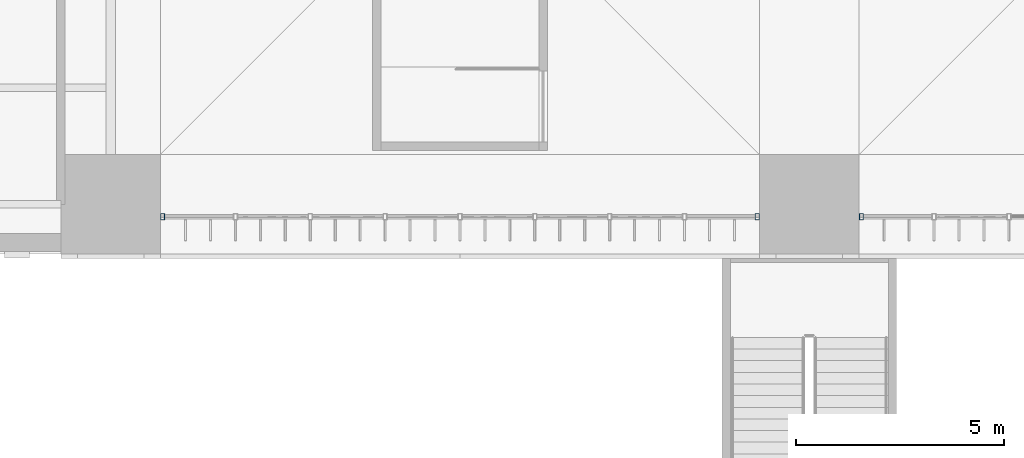
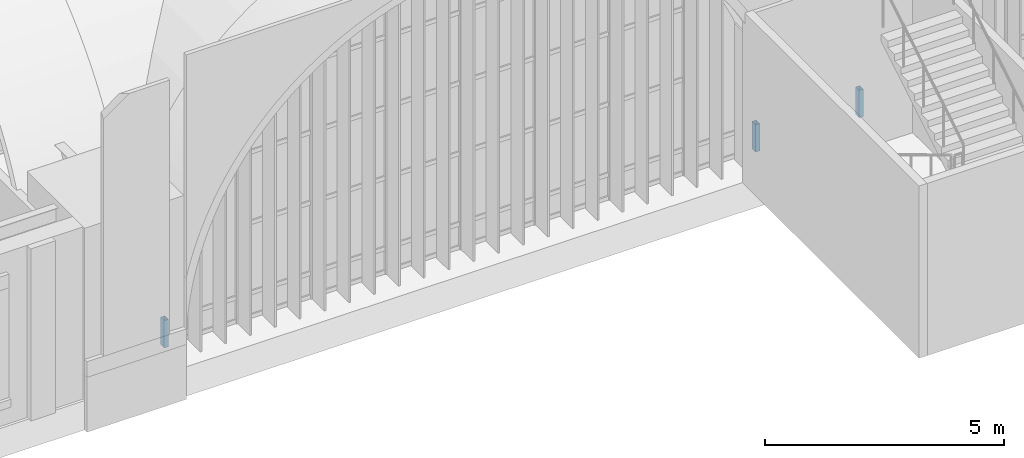
# One storey, part 60 of 169: 3 members, 2 elements without a shape of their own.
"""IFC4 building model written with IfcOpenShell, lengths in metres."""

from ifc_helpers import new_model, si_unit, direction, frame, origin, origin_2d, place, context, subcontext, project, spatial, hollow_rectangle, extrude, material, layer, layer_set, material_profile, profile_set, type_object, element, aggregate, save


model = new_model("IFC4")

# Units and contexts
model_context = context("Model", 3, precision=1e-05, world=origin(), true_north=direction((0.0, 1.0)))
body_context = subcontext(model_context, "Body", "Model", "MODEL_VIEW")
ifc_project = project(units=[si_unit("LENGTHUNIT", "METRE"), si_unit("AREAUNIT", "SQUARE_METRE"), si_unit("VOLUMEUNIT", "CUBIC_METRE"), si_unit("PLANEANGLEUNIT", "RADIAN"), si_unit("MASSUNIT", "GRAM", prefix="KILO")], contexts=[model_context])

# Site, building, storey
site_placement = place(None, origin())
site = spatial("IfcSite", under=ifc_project, at=site_placement, CompositionType="ELEMENT")
building_placement = place(site_placement, origin())
building = spatial("IfcBuilding", under=site, at=building_placement, Name="Verrick Yard Athletic Hall", CompositionType="ELEMENT")
storey_placement = place(building_placement, frame((0.0, 0.0, 4.39990234375)))
storey = spatial("IfcBuildingStorey", under=building, at=storey_placement, Name="L01", CompositionType="ELEMENT", Elevation=4.39990234375)

# Curtain wall, members
ifc_material_1 = material(Name="Aluminium and glass curtain wall", Category="aluminium")
ifc_layer = layer(ifc_material_1, 0.14990234375)
ifc_layer_set = layer_set([ifc_layer], Name="Arcade glazing arch")
curtain_wall_type = type_object("IfcCurtainWallType", Name="Arcade glazing arch", PredefinedType="NOTDEFINED", material=ifc_layer_set)
curtain_wall_1_placement = place(storey_placement, origin())
curtain_wall_1 = element("IfcCurtainWall", 1, at=curtain_wall_1_placement, inside=storey, type_object=curtain_wall_type, Name="Arcade glazing S1", PredefinedType="NOTDEFINED")
ifc_material_2 = material(Name="Structural steel HSS Class C 350W (CSA G40.20/G40.21)", Category="steel")
ifc_material_profile = material_profile(ifc_material_2, hollow_rectangle(XDim=0.1015625, YDim=0.15234375, WallThickness=0.008056640625, at=origin_2d()), Name="HSS152x102x7.9")
ifc_profile_set = profile_set([ifc_material_profile], Name="Structural steel HSS Class C 350W (CSA G40.20/G40.21)")
member_type = type_object("IfcMemberType", Name="Curtain wall mullion HSS152x102x7.9", PredefinedType="MULLION", material=ifc_profile_set)
member_1_placement = place(storey_placement, frame((41.251220703125, 18.89990234375, 0.0), z_axis=(0.0, 0.0, 1.0), x_axis=(1.0, 0.0, 0.0)))
member_1 = element("IfcMember", 2, at=member_1_placement, type_object=member_type, Name="Arcade glazing S1 mullion 1", PredefinedType="MULLION", context=body_context, shape_type="SweptSolid", body=[
    extrude(hollow_rectangle(XDim=0.1015625, YDim=0.15234375, WallThickness=0.008056640625, at=origin_2d()), origin(), (0.0, 0.0, 1.0), 0.700927734375),
])
member_2_placement = place(storey_placement, frame((55.548583984375, 18.89990234375, 0.0), z_axis=(0.0, 0.0, 1.0), x_axis=(1.0, 0.0, 0.0)))
member_2 = element("IfcMember", 3, at=member_2_placement, type_object=member_type, Name="Arcade glazing S1 mullion 9", PredefinedType="MULLION", context=body_context, shape_type="SweptSolid", body=[
    extrude(hollow_rectangle(XDim=0.1015625, YDim=0.15234375, WallThickness=0.008056640625, at=origin_2d()), origin(), (0.0, 0.0, 1.0), 0.700927734375),
])
aggregate(curtain_wall_1, [member_1, member_2])

# Curtain wall, member
curtain_wall_2_placement = place(storey_placement, origin())
curtain_wall_2 = element("IfcCurtainWall", 4, at=curtain_wall_2_placement, inside=storey, type_object=curtain_wall_type, Name="Arcade glazing S2", PredefinedType="NOTDEFINED")
member_3_placement = place(storey_placement, frame((58.05126953125, 18.89990234375, 0.0), z_axis=(0.0, 0.0, 1.0), x_axis=(1.0, 0.0, 0.0)))
member_3 = element("IfcMember", 5, at=member_3_placement, type_object=member_type, Name="Arcade glazing S2 mullion 1", PredefinedType="MULLION", context=body_context, shape_type="SweptSolid", body=[
    extrude(hollow_rectangle(XDim=0.1015625, YDim=0.15234375, WallThickness=0.008056640625, at=origin_2d()), origin(), (0.0, 0.0, 1.0), 0.700927734375),
])
aggregate(curtain_wall_2, [member_3])

save(model, "model.ifc")
